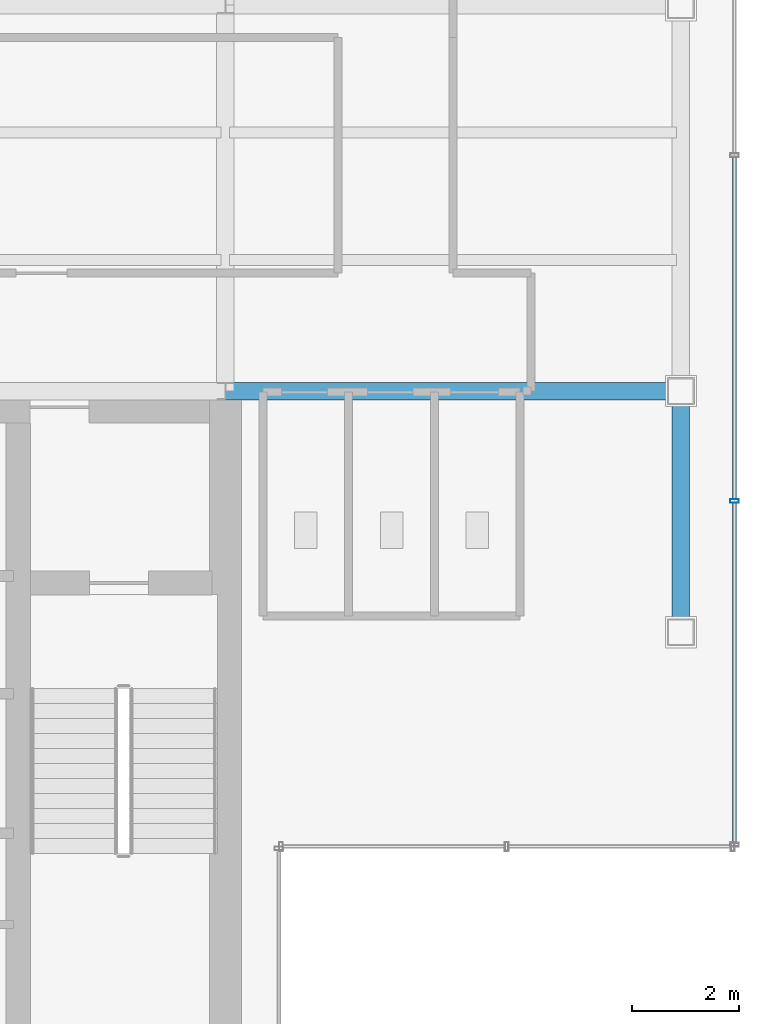
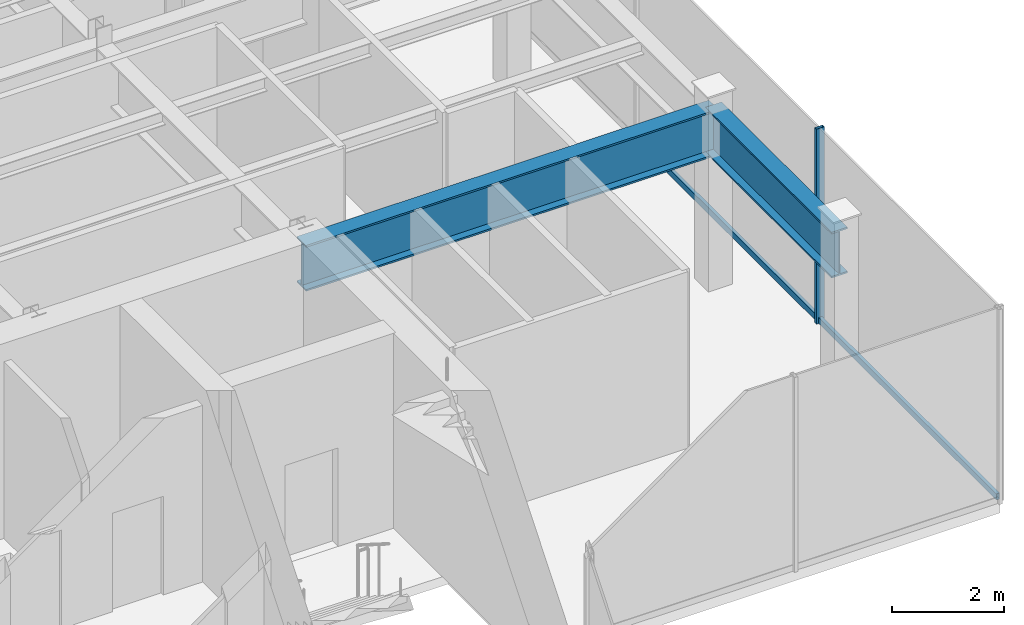
# One storey, part 10 of 24: 3 members, 2 beams, 1 element without a shape of its own.
"""IFC4 building model written with IfcOpenShell, lengths in metres."""

from ifc_helpers import new_model, si_unit, derived_unit, direction, frame, origin, origin_2d, place, context, subcontext, project, spatial, hollow_rectangle, i_section, extrude, source, transform, mapped, material, material_profile, profile_set, type_object, element, aggregate, save


model = new_model("IFC4")

# Units and contexts
model_context = context("Model", 3, precision=1e-05, world=origin(), true_north=direction((0.0, 1.0)))
body_context = subcontext(model_context, "Body", "Model", "MODEL_VIEW")
ifc_project = project(units=[si_unit("LENGTHUNIT", "METRE"), si_unit("AREAUNIT", "SQUARE_METRE"), si_unit("VOLUMEUNIT", "CUBIC_METRE"), si_unit("PLANEANGLEUNIT", "RADIAN"), si_unit("MASSUNIT", "GRAM", prefix="KILO"), derived_unit("THERMALTRANSMITTANCEUNIT", [(si_unit("POWERUNIT", "WATT"), 1), (si_unit("LENGTHUNIT", "METRE"), -2), (si_unit("THERMODYNAMICTEMPERATUREUNIT", "KELVIN"), -1)])], contexts=[model_context])

# Site, building, storey
site_placement = place(None, origin())
site = spatial("IfcSite", under=ifc_project, at=site_placement, CompositionType="ELEMENT")
building_placement = place(site_placement, origin())
building = spatial("IfcBuilding", under=site, at=building_placement, Name="Skarnbrae Concourse Arena and Tower", CompositionType="ELEMENT")
storey_placement = place(building_placement, frame((0.0, 0.0, 288.0)))
storey = spatial("IfcBuildingStorey", under=building, at=storey_placement, Name="L75", CompositionType="ELEMENT", Elevation=288.0)

# Beams
ifc_material_1 = material(Name="Steel CSA G40.21 350W", Category="steel")
ifc_material_profile_1 = material_profile(ifc_material_1, i_section(OverallWidth=0.327880859375, OverallDepth=1.0, WebThickness=0.02099609375, FlangeThickness=0.03759765625, at=origin_2d()), Name="W1000X371")
ifc_profile_set_1 = profile_set([ifc_material_profile_1], Name="Steel CSA G40.21 350W")
beam_type = type_object("IfcBeamType", Name="BM-XFER-W1000X371", PredefinedType="BEAM", material=ifc_profile_set_1)
shared_shape_1 = source(origin(), body_context, "Body", "SweptSolid", [
    extrude(i_section(OverallWidth=0.327880859375, OverallDepth=1.0, WebThickness=0.02099609375, FlangeThickness=0.03759765625, at=origin_2d()), origin(), (0.0, 0.0, 1.0), 8.5),
])
beam_1_placement = place(storey_placement, frame((33.5, 14.0, 3.35009765625), z_axis=(1.0, 0.0, 0.0), x_axis=(0.0, 1.0, 0.0)))
element("IfcBeam", 1, at=beam_1_placement, inside=storey, type_object=beam_type, Name="L75 Primary E-W girder Y14.0-6", PredefinedType="BEAM", context=body_context, shape_type="MappedRepresentation", body=[
    mapped(shared_shape_1, transform((0.0, 0.0, 0.0))),
])
shared_shape_2 = source(origin(), body_context, "Body", "SweptSolid", [
    extrude(i_section(OverallWidth=0.327880859375, OverallDepth=1.0, WebThickness=0.02099609375, FlangeThickness=0.03759765625, at=origin_2d()), origin(), (0.0, 0.0, 1.0), 4.5),
])
beam_2_placement = place(storey_placement, frame((42.0, 9.5, 3.35009765625), z_axis=(0.0, 1.0, 0.0), x_axis=(-1.0, 0.0, 0.0)))
element("IfcBeam", 2, at=beam_2_placement, inside=storey, type_object=beam_type, Name="L75 Perimeter spandrel X42.0-1", PredefinedType="BEAM", context=body_context, shape_type="MappedRepresentation", body=[
    mapped(shared_shape_2, transform((0.0, 0.0, 0.0))),
])

# Curtain wall, members
ifc_material_2 = material(Name="Bronze anodised aluminium 6063-T6", Category="aluminium")
curtain_wall_type = type_object("IfcCurtainWallType", Name="CW-SYS-06-SKYLOBBY", PredefinedType="USERDEFINED", material=ifc_material_2)
curtain_wall_placement = place(storey_placement, origin())
curtain_wall = element("IfcCurtainWall", 3, at=curtain_wall_placement, inside=storey, type_object=curtain_wall_type, Name="L75 Unitised curtain wall CW-L75-E04", ObjectType="UNITISED CURTAIN WALL", PredefinedType="USERDEFINED")
ifc_material_profile_2 = material_profile(ifc_material_2, hollow_rectangle(XDim=0.070068359375, YDim=0.1650390625, WallThickness=0.00390625, at=origin_2d()), Name="ALU-MULL-70X165")
ifc_profile_set_2 = profile_set([ifc_material_profile_2], Name="Bronze anodised aluminium 6063-T6")
member_type_1 = type_object("IfcMemberType", Name="CWM-CW-06", PredefinedType="MULLION", material=ifc_profile_set_2)
shared_shape_3 = source(origin(), body_context, "Body", "SweptSolid", [
    extrude(hollow_rectangle(XDim=0.070068359375, YDim=0.1650390625, WallThickness=0.00390625, at=origin_2d()), origin(), (0.0, 0.0, 1.0), 4.25),
])
member_1_placement = place(storey_placement, frame((43.0, 11.949951171875, 0.0), z_axis=(0.0, 0.0, 1.0), x_axis=(0.0, 1.0, 0.0)))
member_1 = element("IfcMember", 4, at=member_1_placement, type_object=member_type_1, Name="CW-L75-E04 Mullion 2", PredefinedType="MULLION", context=body_context, shape_type="MappedRepresentation", body=[
    mapped(shared_shape_3, transform((0.0, 0.0, 0.0))),
])
ifc_material_profile_3 = material_profile(ifc_material_2, hollow_rectangle(XDim=0.070068359375, YDim=0.135009765625, WallThickness=0.00390625, at=origin_2d()), Name="ALU-TRAN-70X135")
ifc_profile_set_3 = profile_set([ifc_material_profile_3], Name="Bronze anodised aluminium 6063-T6")
member_type_2 = type_object("IfcMemberType", Name="CWT-CW-06", PredefinedType="USERDEFINED", material=ifc_profile_set_3)
shared_shape_4 = source(origin(), body_context, "Body", "SweptSolid", [
    extrude(hollow_rectangle(XDim=0.070068359375, YDim=0.135009765625, WallThickness=0.00390625, at=origin_2d()), origin(), (0.0, 0.0, 1.0), 6.344970703125),
])
member_2_placement = place(storey_placement, frame((43.0, 5.570068359375, 0.0673828125), z_axis=(0.0, 1.0, 0.0), x_axis=(-1.0, 0.0, 0.0)))
member_2 = element("IfcMember", 5, at=member_2_placement, type_object=member_type_2, Name="CW-L75-E04 Transom 1", ObjectType="TRANSOM", PredefinedType="USERDEFINED", context=body_context, shape_type="MappedRepresentation", body=[
    mapped(shared_shape_4, transform((0.0, 0.0, 0.0))),
])
shared_shape_5 = source(origin(), body_context, "Body", "SweptSolid", [
    extrude(hollow_rectangle(XDim=0.070068359375, YDim=0.135009765625, WallThickness=0.00390625, at=origin_2d()), origin(), (0.0, 0.0, 1.0), 6.3798828125),
])
member_3_placement = place(storey_placement, frame((43.0, 11.985107421875, 0.0673828125), z_axis=(0.0, 1.0, 0.0), x_axis=(-1.0, 0.0, 0.0)))
member_3 = element("IfcMember", 6, at=member_3_placement, type_object=member_type_2, Name="CW-L75-E04 Transom 2", ObjectType="TRANSOM", PredefinedType="USERDEFINED", context=body_context, shape_type="MappedRepresentation", body=[
    mapped(shared_shape_5, transform((0.0, 0.0, 0.0))),
])
aggregate(curtain_wall, [member_1, member_2, member_3])

save(model, "model.ifc")
